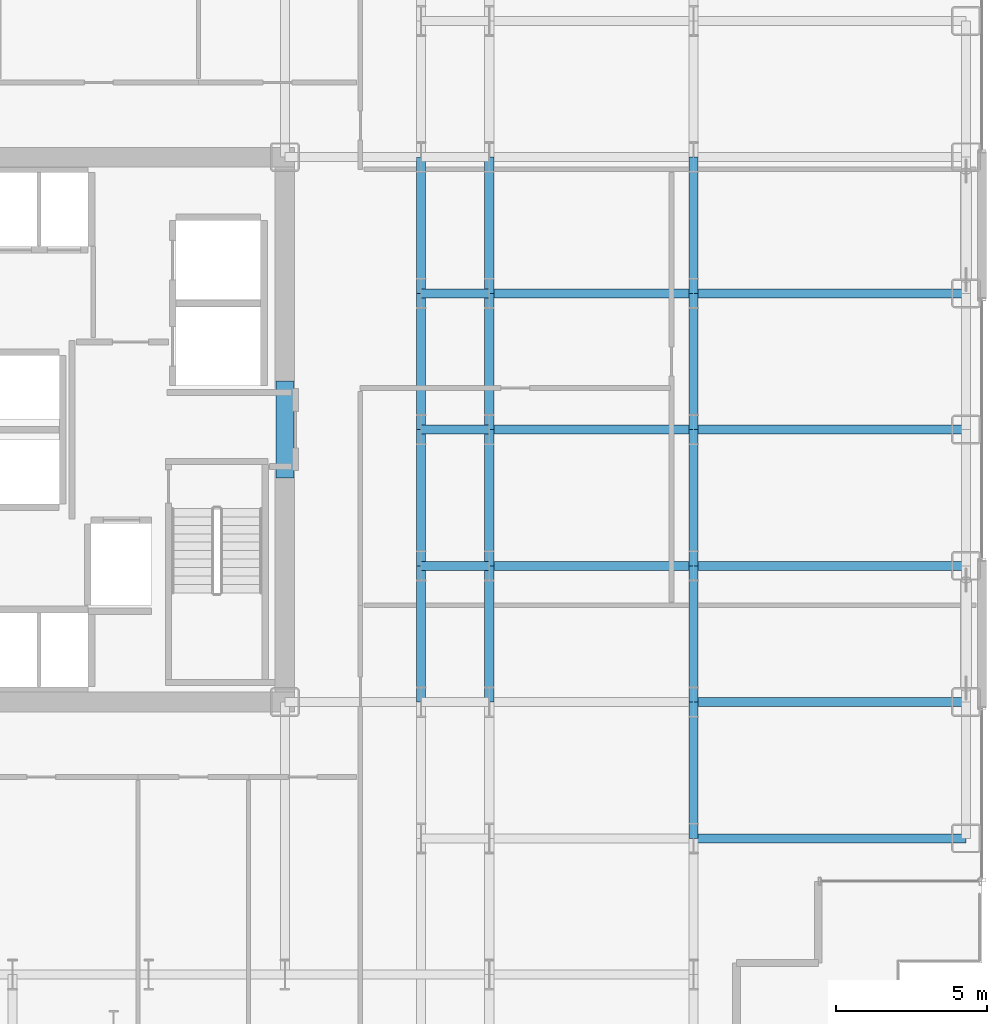
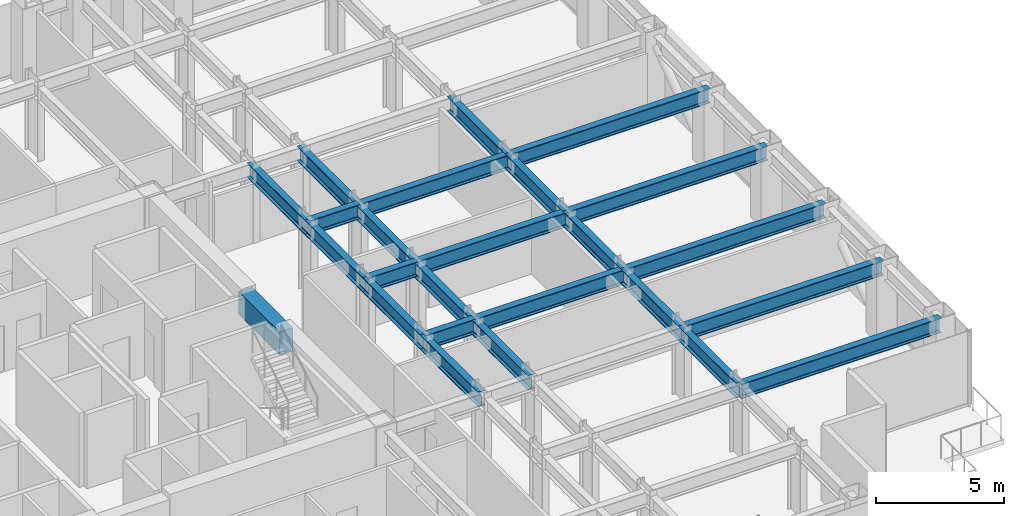
# One storey, part 10 of 29: 25 beams.
"""IFC4 building model written with IfcOpenShell, lengths in metres."""

import ifcopenshell
import ifcopenshell.guid

model = None  # the IFC model being written
_history = None  # IfcOwnerHistory: only IFC2X3 demands one
_inside = {}  # id of a spatial element -> (the spatial element, [elements in it])
_under = {}  # id of a project, library or spatial element -> (it, [spatial elements below it])
_declared = {}  # id of a project -> (the project, [libraries it declares])
_typed = {}  # id of a type object -> (the type object, [elements of that type])
_made_of = {}  # id of a material, layer set ... -> (it, [elements and type objects made of it])


def new_model(schema):
    """Start an empty IFC model of exactly this schema.

    Asked for "IFC4X3", IfcOpenShell would pick the latest addendum, in which some entities
    have other attributes; the version numbers below select the first issue.
    IFC2X3 requires an IfcOwnerHistory on every rooted entity: one is made here for all.
    """
    global model, _history
    if schema == "IFC4X3":
        model = ifcopenshell.file(schema_version=(4, 3, 0, 0))
    else:
        model = ifcopenshell.file(schema=schema)
    _inside.clear()
    _under.clear()
    _declared.clear()
    _typed.clear()
    _made_of.clear()
    _history = None
    if model.schema == "IFC2X3":
        org = make("IfcOrganization", Name="unknown")
        user = make(
            "IfcPersonAndOrganization",
            ThePerson=make("IfcPerson", FamilyName="unknown"),
            TheOrganization=org,
        )
        app = make(
            "IfcApplication",
            ApplicationDeveloper=org,
            Version="unknown",
            ApplicationFullName="unknown",
            ApplicationIdentifier="unknown",
        )
        _history = make(
            "IfcOwnerHistory",
            OwningUser=user,
            OwningApplication=app,
            ChangeAction="ADDED",
            CreationDate=0,
        )
    return model


def make(cls, **values):
    """One entity of the class cls with the attributes given. An attribute that is None is left unset."""
    return model.create_entity(
        cls, **{name: value for name, value in values.items() if value is not None}
    )


def rooted(cls, **values):
    """An entity with a GlobalId (a new one), such as an element, a storey or a relation."""
    return make(cls, GlobalId=ifcopenshell.guid.new(), OwnerHistory=_history, **values)


def si_unit(unit_type, name, prefix=None):
    """IfcSIUnit, for example si_unit("LENGTHUNIT", "METRE", prefix="MILLI")."""
    return make("IfcSIUnit", UnitType=unit_type, Prefix=prefix, Name=name)


def assignment(units):
    """IfcUnitAssignment: the units of a project."""
    return None if units is None else make("IfcUnitAssignment", Units=units)


def point(xyz):
    """IfcCartesianPoint."""
    return None if xyz is None else make("IfcCartesianPoint", Coordinates=xyz)


def direction(xyz):
    """IfcDirection."""
    return None if xyz is None else make("IfcDirection", DirectionRatios=xyz)


def frame(location, z_axis=None, x_axis=None):
    """IfcAxis2Placement3D, a coordinate frame: its origin and axes. An axis left out is left unset."""
    return make(
        "IfcAxis2Placement3D",
        Location=point(location),
        Axis=direction(z_axis),
        RefDirection=direction(x_axis),
    )


def frame_2d(location, x_axis=None):
    """IfcAxis2Placement2D, a coordinate frame in the plane: its origin and x axis."""
    return make(
        "IfcAxis2Placement2D", Location=point(location), RefDirection=direction(x_axis)
    )


def origin():
    """The frame at (0, 0, 0) with its axes left unset."""
    return frame((0.0, 0.0, 0.0))


def origin_2d():
    """The frame at (0, 0) in the plane with its x axis left unset."""
    return frame_2d((0.0, 0.0))


def place(relative_to, where):
    """IfcLocalPlacement: puts the frame where relative to a parent placement (None: the world)."""
    return make(
        "IfcLocalPlacement", PlacementRelTo=relative_to, RelativePlacement=where
    )


def context(
    kind, dimensions, precision=None, world=None, true_north=None, identifier=None
):
    """IfcGeometricRepresentationContext, for example the 3D "Model" context."""
    return make(
        "IfcGeometricRepresentationContext",
        ContextIdentifier=identifier,
        ContextType=kind,
        CoordinateSpaceDimension=dimensions,
        Precision=precision,
        WorldCoordinateSystem=world,
        TrueNorth=true_north,
    )


def subcontext(parent, identifier, kind, view, scale=None):
    """IfcGeometricRepresentationSubContext, for example "Body" below "Model"."""
    return make(
        "IfcGeometricRepresentationSubContext",
        ContextIdentifier=identifier,
        ContextType=kind,
        ParentContext=parent,
        TargetScale=scale,
        TargetView=view,
    )


def project(units=None, contexts=None):
    """IfcProject with its units and contexts."""
    return rooted(
        "IfcProject",
        Name="project",
        RepresentationContexts=contexts,
        UnitsInContext=assignment(units),
    )


def spatial(cls, under=None, at=None, **own):
    """A site, building, storey or space (cls), placed at a placement, below another one or the project."""
    s = rooted(cls, ObjectPlacement=at, **own)
    if under is not None:
        _under.setdefault(under.id(), (under, []))[1].append(s)
    return s


def profile(cls, at=None, kind="AREA", **sizes):
    """A parametric profile (cls). Its sizes go by their IFC names, for example OverallWidth=200.0."""
    return make(cls, ProfileType=kind, Position=at, **sizes)


def rectangle(**sizes):
    """IfcRectangleProfileDef."""
    return profile("IfcRectangleProfileDef", **sizes)


def i_section(**sizes):
    """IfcIShapeProfileDef."""
    return profile("IfcIShapeProfileDef", **sizes)


def extrude(swept, where, along, depth):
    """IfcExtrudedAreaSolid: the profile swept, set in the frame where, extruded along a direction by depth."""
    return make(
        "IfcExtrudedAreaSolid",
        SweptArea=swept,
        Position=where,
        ExtrudedDirection=direction(along),
        Depth=depth,
    )


def shape(context_of_items, identifier, shape_type, items):
    """IfcShapeRepresentation: the items that make up one representation, for example the "Body"."""
    return make(
        "IfcShapeRepresentation",
        ContextOfItems=context_of_items,
        RepresentationIdentifier=identifier,
        RepresentationType=shape_type,
        Items=items,
    )


def source(mapping_origin, context_of_items, identifier, shape_type, items):
    """IfcRepresentationMap: a shape defined once, which mapped items show again and again."""
    return make(
        "IfcRepresentationMap",
        MappingOrigin=mapping_origin,
        MappedRepresentation=shape(context_of_items, identifier, shape_type, items),
    )


def transform(
    local_origin,
    x_axis=None,
    y_axis=None,
    z_axis=None,
    scale=None,
    scale2=None,
    scale3=None,
    uniform=True,
):
    """IfcCartesianTransformationOperator3D, or its non-uniform kind. x_axis, y_axis, z_axis: its Axis1, 2, 3."""
    if uniform:
        return make(
            "IfcCartesianTransformationOperator3D",
            Axis1=direction(x_axis),
            Axis2=direction(y_axis),
            LocalOrigin=point(local_origin),
            Scale=scale,
            Axis3=direction(z_axis),
        )
    return make(
        "IfcCartesianTransformationOperator3DnonUniform",
        Axis1=direction(x_axis),
        Axis2=direction(y_axis),
        LocalOrigin=point(local_origin),
        Scale=scale,
        Axis3=direction(z_axis),
        Scale2=scale2,
        Scale3=scale3,
    )


def mapped(mapping_source, mapping_target):
    """IfcMappedItem: shows the shape of a source again, moved by a transform."""
    return make(
        "IfcMappedItem", MappingSource=mapping_source, MappingTarget=mapping_target
    )


def material(Name=None, Category=None):
    """IfcMaterial."""
    return make("IfcMaterial", Name=Name, Category=Category)


def material_profile(
    of_material, cross_section, Name=None, Category=None, Priority=None
):
    """IfcMaterialProfile: a cross section and its material."""
    return make(
        "IfcMaterialProfile",
        Name=Name,
        Material=of_material,
        Profile=cross_section,
        Priority=Priority,
        Category=Category,
    )


def profile_set(profiles, Name=None, composite=None):
    """IfcMaterialProfileSet."""
    return make(
        "IfcMaterialProfileSet",
        Name=Name,
        MaterialProfiles=profiles,
        CompositeProfile=composite,
    )


def made_of(thing, what):
    """Note that an element or type object is made of a material, layer set ...; save() writes the relation."""
    if what is not None:
        _made_of.setdefault(what.id(), (what, []))[1].append(thing)
    return thing


def type_object(cls, material=None, **own):
    """A type object (cls), such as IfcWallType, which elements share."""
    return made_of(rooted(cls, **own), material)


def element(
    cls,
    number,
    at=None,
    inside=None,
    cuts=None,
    type_object=None,
    material=None,
    context=None,
    identifier="Body",
    shape_type=None,
    held_by="IfcProductDefinitionShape",
    body=None,
    shapes=None,
    **own,
):
    """One element of the class cls, such as IfcWall. Its Tag is "e" and its number.

    at: its placement. inside: the storey or other place that contains it. cuts: it is an
    opening in that element (IfcRelVoidsElement). A single representation is given by context,
    identifier, shape_type and body (its items); several are given by shapes. held_by: the class
    of the entity that holds the representations. save() writes the other relations.
    """
    e = rooted(cls, Tag="e%d" % number, ObjectPlacement=at, **own)
    if body is not None:
        shapes = [shape(context, identifier, shape_type, body)]
    if shapes is not None:
        e.Representation = make(held_by, Representations=shapes)
    if inside is not None:
        _inside.setdefault(inside.id(), (inside, []))[1].append(e)
    if cuts is not None:
        rooted(
            "IfcRelVoidsElement", RelatingBuildingElement=cuts, RelatedOpeningElement=e
        )
    if type_object is not None:
        _typed.setdefault(type_object.id(), (type_object, []))[1].append(e)
    return made_of(e, material)


def aggregate(whole, parts):
    """IfcRelAggregates: a whole, such as a stair, and the parts it consists of."""
    return rooted("IfcRelAggregates", RelatingObject=whole, RelatedObjects=parts)


def save(model, path):
    """Write the relations noted so far, then the file.

    IfcRelAggregates (storeys below a building ...), IfcRelContainedInSpatialStructure (elements
    in a storey), IfcRelDefinesByType, IfcRelAssociatesMaterial and IfcRelDeclares: one each for
    every whole, place, type object, material and project.
    """
    for whole, parts in _under.values():
        aggregate(whole, parts)
    for where, things in _inside.values():
        rooted(
            "IfcRelContainedInSpatialStructure",
            RelatedElements=things,
            RelatingStructure=where,
        )
    for kind, things in _typed.values():
        rooted("IfcRelDefinesByType", RelatedObjects=things, RelatingType=kind)
    for what, things in _made_of.values():
        rooted("IfcRelAssociatesMaterial", RelatedObjects=things, RelatingMaterial=what)
    for by, libraries in _declared.values():
        rooted("IfcRelDeclares", RelatingContext=by, RelatedDefinitions=libraries)
    model.write(path)


model = new_model("IFC4")

# Units and contexts
model_context = context("Model", 3, precision=1e-05, world=origin(), true_north=direction((0.0, 1.0)))
body_context = subcontext(model_context, "Body", "Model", "MODEL_VIEW")
ifc_project = project(units=[si_unit("LENGTHUNIT", "METRE"), si_unit("AREAUNIT", "SQUARE_METRE"), si_unit("VOLUMEUNIT", "CUBIC_METRE"), si_unit("PLANEANGLEUNIT", "RADIAN"), si_unit("MASSUNIT", "GRAM", prefix="KILO")], contexts=[model_context])

# Site, building, storey
site_placement = place(None, origin())
site = spatial("IfcSite", under=ifc_project, at=site_placement, CompositionType="ELEMENT")
building_placement = place(site_placement, origin())
building = spatial("IfcBuilding", under=site, at=building_placement, Name="Nefas-Gora Pilgrimage Tower", CompositionType="ELEMENT")
storey_placement = place(building_placement, frame((0.0, 0.0, 67.199951171875)))
storey = spatial("IfcBuildingStorey", under=building, at=storey_placement, Name="L15", CompositionType="ELEMENT", Elevation=67.199951171875)

# Beams
ifc_material_1 = material(Name="Concrete C60/75", Category="concrete")
ifc_material_profile_1 = material_profile(ifc_material_1, rectangle(XDim=0.60009765625, YDim=1.10009765625, at=origin_2d()), Name="RC 600x1100")
ifc_profile_set_1 = profile_set([ifc_material_profile_1], Name="Concrete C60/75")
beam_type_1 = type_object("IfcBeamType", Name="BM-LIN-RC1100", PredefinedType="LINTEL", material=ifc_profile_set_1)
shared_shape_1 = source(origin(), body_context, "Body", "SweptSolid", [
    extrude(rectangle(XDim=0.60009765625, YDim=1.10009765625, at=origin_2d()), origin(), (0.0, 0.0, 1.0), 3.2001953125),
])
beam_placement = place(storey_placement, frame((11.25, -1.60009765625, 3.0), z_axis=(0.0, 1.0, 0.0), x_axis=(-1.0, 0.0, 0.0)))
element("IfcBeam", 1, at=beam_placement, inside=storey, type_object=beam_type_1, Name="L15 Core Coupling Lintel Beam E", PredefinedType="LINTEL", context=body_context, shape_type="MappedRepresentation", body=[
    mapped(shared_shape_1, transform((0.0, 0.0, 0.0), x_axis=(1.0, 0.0, 0.0), y_axis=(0.0, 1.0, 0.0), z_axis=(0.0, 0.0, 1.0), scale=1.0)),
])
ifc_material_2 = material(Name="Steel S355", Category="steel")
ifc_material_profile_2 = material_profile(ifc_material_2, i_section(OverallWidth=0.300048828125, OverallDepth=0.699951171875, WebThickness=0.01708984375, FlangeThickness=0.031982421875, FilletRadius=0.027099609375, at=origin_2d()), Name="HEB 700")
ifc_profile_set_2 = profile_set([ifc_material_profile_2], Name="Steel S355")
beam_type_2 = type_object("IfcBeamType", Name="BM-GIR-HEB700", PredefinedType="BEAM", material=ifc_profile_set_2)
shared_shape_2 = source(origin(), body_context, "Body", "SweptSolid", [
    extrude(i_section(OverallWidth=0.300048828125, OverallDepth=0.699951171875, WebThickness=0.01708984375, FlangeThickness=0.031982421875, FilletRadius=0.027099609375, at=origin_2d()), origin(), (0.0, 0.0, 1.0), 9.0),
])
for number, where, z_axis, x_axis, name in (
    (2, (24.75, -13.5, 3.199951171875), (1.0, 0.0, 0.0), (0.0, 1.0, 0.0), "L15 G-02 beam"),
    (3, (24.75, -9.0, 3.199951171875), (1.0, 0.0, 0.0), (0.0, 1.0, 0.0), "L15 G-02 beam"),
    (4, (24.75, -4.5, 3.199951171875), (1.0, 0.0, 0.0), (0.0, 1.0, 0.0), "L15 G-02 beam"),
    (5, (24.75, 0.0, 3.199951171875), (1.0, 0.0, 0.0), (0.0, 1.0, 0.0), "L15 G-02 beam"),
    (6, (24.75, 4.5, 3.199951171875), (1.0, 0.0, 0.0), (0.0, 1.0, 0.0), "L15 G-02 beam"),
):
    element("IfcBeam", number, at=place(storey_placement, frame(where, z_axis=z_axis, x_axis=x_axis)), inside=storey, type_object=beam_type_2, Name=name, PredefinedType="BEAM", context=body_context, shape_type="MappedRepresentation", body=[
        mapped(shared_shape_2, transform((0.0, 0.0, 0.0), x_axis=(1.0, 0.0, 0.0), y_axis=(0.0, 1.0, 0.0), z_axis=(0.0, 0.0, 1.0), scale=1.0)),
    ])
shared_shape_3 = source(origin(), body_context, "Body", "SweptSolid", [
    extrude(i_section(OverallWidth=0.300048828125, OverallDepth=0.699951171875, WebThickness=0.01708984375, FlangeThickness=0.031982421875, FilletRadius=0.027099609375, at=origin_2d()), origin(), (0.0, 0.0, 1.0), 4.5),
])
for number, where, z_axis, x_axis, name in (
    (7, (15.75, -9.0, 3.199951171875), (0.0, 1.0, 0.0), (-1.0, 0.0, 0.0), "L15 G-02 beam"),
    (8, (15.75, -4.5, 3.199951171875), (0.0, 1.0, 0.0), (-1.0, 0.0, 0.0), "L15 G-02 beam"),
    (9, (15.75, 0.0, 3.199951171875), (0.0, 1.0, 0.0), (-1.0, 0.0, 0.0), "L15 G-02 beam"),
    (10, (15.75, 4.5, 3.199951171875), (0.0, 1.0, 0.0), (-1.0, 0.0, 0.0), "L15 G-02 beam"),
    (11, (18.0, -9.0, 3.199951171875), (0.0, 1.0, 0.0), (-1.0, 0.0, 0.0), "L15 G-02 beam"),
    (12, (18.0, -4.5, 3.199951171875), (0.0, 1.0, 0.0), (-1.0, 0.0, 0.0), "L15 G-02 beam"),
    (13, (18.0, 0.0, 3.199951171875), (0.0, 1.0, 0.0), (-1.0, 0.0, 0.0), "L15 G-02 beam"),
    (14, (18.0, 4.5, 3.199951171875), (0.0, 1.0, 0.0), (-1.0, 0.0, 0.0), "L15 G-02 beam"),
    (15, (24.75, -13.5, 3.199951171875), (0.0, 1.0, 0.0), (-1.0, 0.0, 0.0), "L15 G-02 beam"),
    (16, (24.75, -9.0, 3.199951171875), (0.0, 1.0, 0.0), (-1.0, 0.0, 0.0), "L15 G-02 beam"),
    (17, (24.75, -4.5, 3.199951171875), (0.0, 1.0, 0.0), (-1.0, 0.0, 0.0), "L15 G-02 beam"),
    (18, (24.75, 0.0, 3.199951171875), (0.0, 1.0, 0.0), (-1.0, 0.0, 0.0), "L15 G-02 beam"),
    (19, (24.75, 4.5, 3.199951171875), (0.0, 1.0, 0.0), (-1.0, 0.0, 0.0), "L15 G-02 beam"),
):
    element("IfcBeam", number, at=place(storey_placement, frame(where, z_axis=z_axis, x_axis=x_axis)), inside=storey, type_object=beam_type_2, Name=name, PredefinedType="BEAM", context=body_context, shape_type="MappedRepresentation", body=[
        mapped(shared_shape_3, transform((0.0, 0.0, 0.0), x_axis=(1.0, 0.0, 0.0), y_axis=(0.0, 1.0, 0.0), z_axis=(0.0, 0.0, 1.0), scale=1.0)),
    ])
shared_shape_4 = source(origin(), body_context, "Body", "SweptSolid", [
    extrude(i_section(OverallWidth=0.300048828125, OverallDepth=0.699951171875, WebThickness=0.01708984375, FlangeThickness=0.031982421875, FilletRadius=0.027099609375, at=origin_2d()), origin(), (0.0, 0.0, 1.0), 6.75),
])
for number, where, z_axis, x_axis, name in (
    (20, (18.0, -4.5, 3.199951171875), (1.0, 0.0, 0.0), (0.0, 1.0, 0.0), "L15 G-02 beam"),
    (21, (18.0, 0.0, 3.199951171875), (1.0, 0.0, 0.0), (0.0, 1.0, 0.0), "L15 G-02 beam"),
    (22, (18.0, 4.5, 3.199951171875), (1.0, 0.0, 0.0), (0.0, 1.0, 0.0), "L15 G-02 beam"),
):
    element("IfcBeam", number, at=place(storey_placement, frame(where, z_axis=z_axis, x_axis=x_axis)), inside=storey, type_object=beam_type_2, Name=name, PredefinedType="BEAM", context=body_context, shape_type="MappedRepresentation", body=[
        mapped(shared_shape_4, transform((0.0, 0.0, 0.0), x_axis=(1.0, 0.0, 0.0), y_axis=(0.0, 1.0, 0.0), z_axis=(0.0, 0.0, 1.0), scale=1.0)),
    ])
shared_shape_5 = source(origin(), body_context, "Body", "SweptSolid", [
    extrude(i_section(OverallWidth=0.300048828125, OverallDepth=0.699951171875, WebThickness=0.01708984375, FlangeThickness=0.031982421875, FilletRadius=0.027099609375, at=origin_2d()), origin(), (0.0, 0.0, 1.0), 2.25),
])
for number, where, z_axis, x_axis, name in (
    (23, (15.75, -4.5, 3.199951171875), (1.0, 0.0, 0.0), (0.0, 1.0, 0.0), "L15 G-02 beam"),
    (24, (15.75, 0.0, 3.199951171875), (1.0, 0.0, 0.0), (0.0, 1.0, 0.0), "L15 G-02 beam"),
    (25, (15.75, 4.5, 3.199951171875), (1.0, 0.0, 0.0), (0.0, 1.0, 0.0), "L15 G-02 beam"),
):
    element("IfcBeam", number, at=place(storey_placement, frame(where, z_axis=z_axis, x_axis=x_axis)), inside=storey, type_object=beam_type_2, Name=name, PredefinedType="BEAM", context=body_context, shape_type="MappedRepresentation", body=[
        mapped(shared_shape_5, transform((0.0, 0.0, 0.0), x_axis=(1.0, 0.0, 0.0), y_axis=(0.0, 1.0, 0.0), z_axis=(0.0, 0.0, 1.0), scale=1.0)),
    ])

save(model, "model.ifc")
